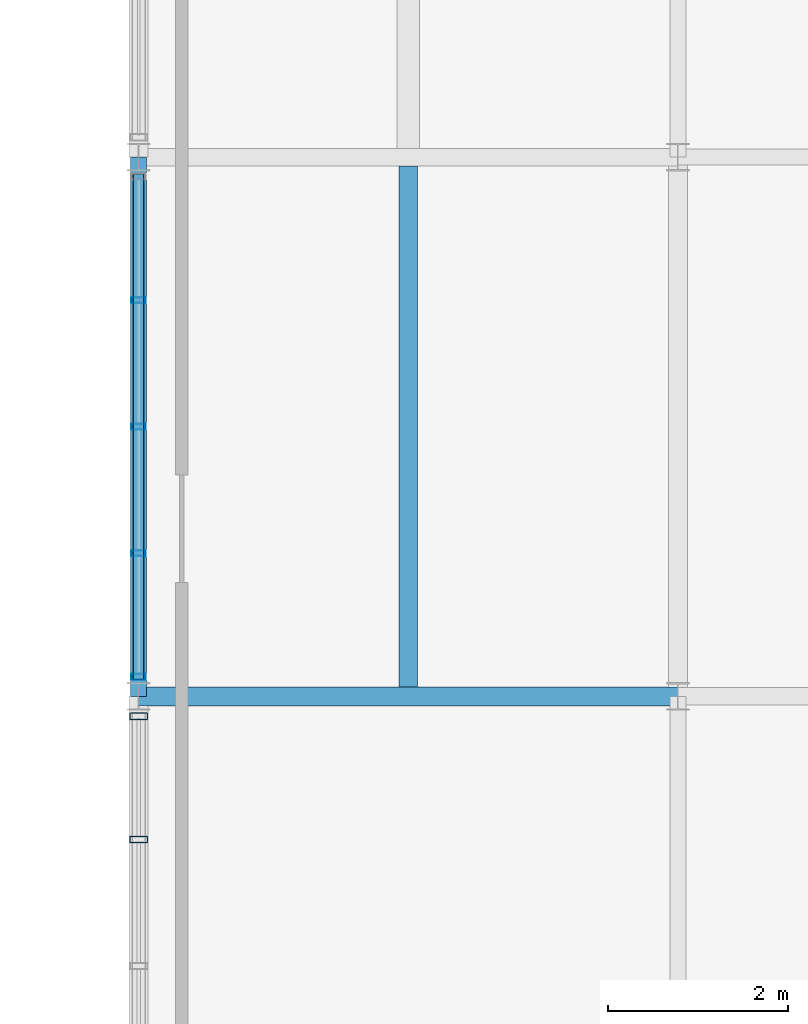
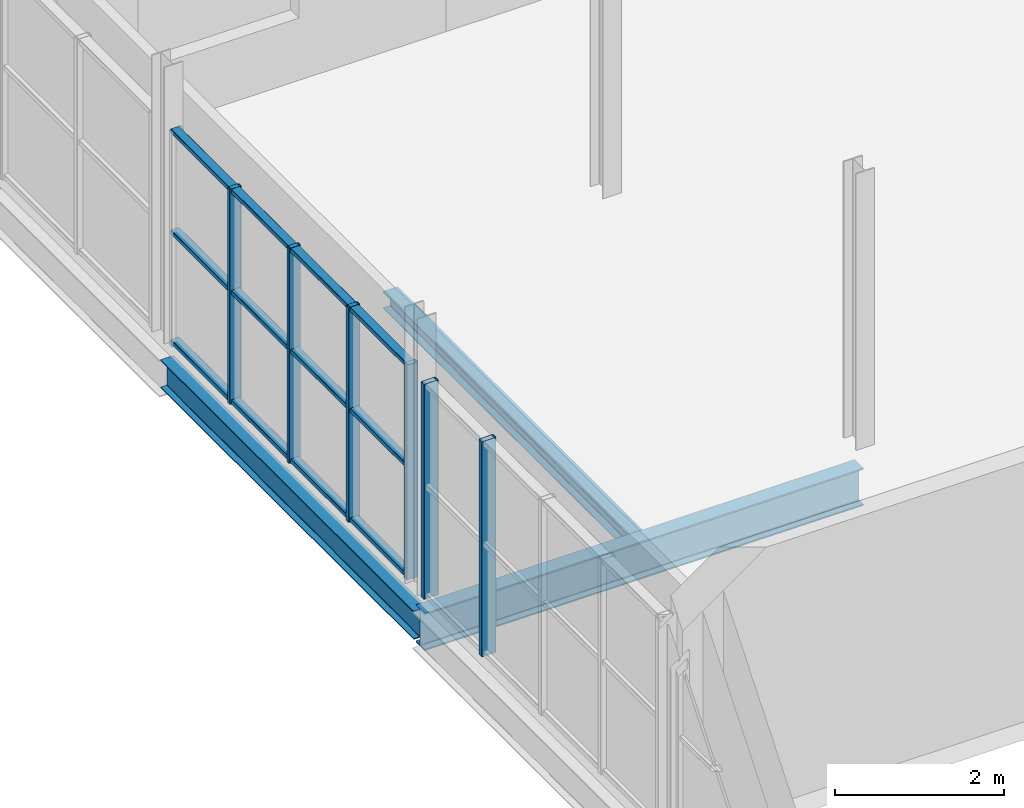
# One storey, part 67 of 96: 9 members, 3 beams, 2 elements without a shape of their own.
"""IFC4 building model written with IfcOpenShell, lengths in metres."""

from ifc_helpers import new_model, si_unit, direction, frame, origin, origin_2d, place, context, subcontext, project, spatial, hollow_rectangle, i_section, extrude, material, material_profile, profile_set, type_object, element, aggregate, save


model = new_model("IFC4")

# Units and contexts
model_context = context("Model", 3, precision=1e-05, world=origin(), true_north=direction((0.0, 1.0)))
body_context = subcontext(model_context, "Body", "Model", "MODEL_VIEW")
ifc_project = project(units=[si_unit("LENGTHUNIT", "METRE"), si_unit("AREAUNIT", "SQUARE_METRE"), si_unit("VOLUMEUNIT", "CUBIC_METRE"), si_unit("PLANEANGLEUNIT", "RADIAN"), si_unit("MASSUNIT", "GRAM", prefix="KILO")], contexts=[model_context])

# Site, building, storey
site_placement = place(None, origin())
site = spatial("IfcSite", under=ifc_project, at=site_placement, CompositionType="ELEMENT")
building_placement = place(site_placement, origin())
building = spatial("IfcBuilding", under=site, at=building_placement, Name="Verrall Gate Interchange", CompositionType="ELEMENT")
storey_placement = place(building_placement, frame((0.0, 0.0, 11.39990234375)))
storey = spatial("IfcBuildingStorey", under=building, at=storey_placement, Name="L03", CompositionType="ELEMENT", Elevation=11.39990234375)

# Beams
ifc_material_1 = material(Name="Structural Steel CSA G40.21 350W", Category="steel")
ifc_material_profile_1 = material_profile(ifc_material_1, i_section(OverallWidth=0.2109375, OverallDepth=0.5390625, WebThickness=0.01171875, FlangeThickness=0.018798828125, FilletRadius=0.013916015625, at=origin_2d()), Name="W530x109")
ifc_profile_set_1 = profile_set([ifc_material_profile_1], Name="Structural Steel CSA G40.21 350W")
beam_type_1 = type_object("IfcBeamType", Name="B-10 Structural Beam W530x109", PredefinedType="BEAM", material=ifc_profile_set_1)
beam_1_placement = place(storey_placement, frame((132.0, 34.0, -0.599365234375), z_axis=(1.0, 0.0, 0.0), x_axis=(0.0, 1.0, 0.0)))
element("IfcBeam", 1, at=beam_1_placement, inside=storey, type_object=beam_type_1, Name="L03 Girder BM-L03-2070 (B-10)", PredefinedType="BEAM", context=body_context, shape_type="SweptSolid", body=[
    extrude(i_section(OverallWidth=0.2109375, OverallDepth=0.5390625, WebThickness=0.01171875, FlangeThickness=0.018798828125, FilletRadius=0.013916015625, at=origin_2d()), origin(), (0.0, 0.0, 1.0), 6.0),
])
ifc_material_2 = material(Name="Structural Steel CSA G40.21 350W", Category="steel")
ifc_material_profile_2 = material_profile(ifc_material_2, i_section(OverallWidth=0.178955078125, OverallDepth=0.409912109375, WebThickness=0.0087890625, FlangeThickness=0.014404296875, FilletRadius=0.011962890625, at=origin_2d()), Name="W410x67")
ifc_profile_set_2 = profile_set([ifc_material_profile_2], Name="Structural Steel CSA G40.21 350W")
beam_type_2 = type_object("IfcBeamType", Name="B-12 Structural Beam W410x67", PredefinedType="BEAM", material=ifc_profile_set_2)
beam_2_placement = place(storey_placement, frame((132.0, 34.0, -0.534912109375), z_axis=(0.0, 1.0, 0.0), x_axis=(-1.0, 0.0, 0.0)))
element("IfcBeam", 2, at=beam_2_placement, inside=storey, type_object=beam_type_2, Name="L03 Girder BM-L03-2327 (B-12)", PredefinedType="BEAM", context=body_context, shape_type="SweptSolid", body=[
    extrude(i_section(OverallWidth=0.178955078125, OverallDepth=0.409912109375, WebThickness=0.0087890625, FlangeThickness=0.014404296875, FilletRadius=0.011962890625, at=origin_2d()), origin(), (0.0, 0.0, 1.0), 6.0),
])

# Curtain wall, members
ifc_material_3 = material(Name="Thermally Broken Anodized Aluminium Curtain Wall Framing", Category="aluminium")
curtain_wall_type = type_object("IfcCurtainWallType", Name="CW-36 Unitized Curtain Wall 5559x3110", PredefinedType="NOTDEFINED", material=ifc_material_3)
curtain_wall_1_placement = place(storey_placement, origin())
curtain_wall_1 = element("IfcCurtainWall", 3, at=curtain_wall_1_placement, inside=storey, type_object=curtain_wall_type, Name="L03 Unitized Curtain Wall CW-L03-122", PredefinedType="NOTDEFINED")
ifc_material_4 = material(Name="Thermally Broken Anodized Aluminium Curtain Wall Framing", Category="aluminium")
ifc_material_profile_3 = material_profile(ifc_material_4, hollow_rectangle(XDim=0.06494140625, YDim=0.159912109375, WallThickness=0.00390625, InnerFilletRadius=0.00390625, OuterFilletRadius=0.008056640625, at=origin_2d()), Name="CWM160x65x4")
ifc_profile_set_3 = profile_set([ifc_material_profile_3], Name="Thermally Broken Anodized Aluminium Curtain Wall Framing")
member_type_1 = type_object("IfcMemberType", Name="CM-01 Curtain Mullion CWM160x65x4", PredefinedType="MULLION", material=ifc_profile_set_3)
member_1_placement = place(storey_placement, frame((132.0, 38.407470703125, 0.0), z_axis=(0.0, 0.0, 1.0), x_axis=(0.0, -1.0, 0.0)))
member_1 = element("IfcMember", 4, at=member_1_placement, type_object=member_type_1, Name="CW-L03-122 Mullion 2", PredefinedType="MULLION", context=body_context, shape_type="SweptSolid", body=[
    extrude(hollow_rectangle(XDim=0.06494140625, YDim=0.159912109375, WallThickness=0.00390625, InnerFilletRadius=0.00390625, OuterFilletRadius=0.008056640625, at=origin_2d()), origin(), (0.0, 0.0, 1.0), 3.110107421875),
])
member_2_placement = place(storey_placement, frame((132.0, 37.0, 0.0), z_axis=(0.0, 0.0, 1.0), x_axis=(0.0, -1.0, 0.0)))
member_2 = element("IfcMember", 5, at=member_2_placement, type_object=member_type_1, Name="CW-L03-122 Mullion 3", PredefinedType="MULLION", context=body_context, shape_type="SweptSolid", body=[
    extrude(hollow_rectangle(XDim=0.06494140625, YDim=0.159912109375, WallThickness=0.00390625, InnerFilletRadius=0.00390625, OuterFilletRadius=0.008056640625, at=origin_2d()), origin(), (0.0, 0.0, 1.0), 3.110107421875),
])
member_3_placement = place(storey_placement, frame((132.0, 35.592529296875, 0.0), z_axis=(0.0, 0.0, 1.0), x_axis=(0.0, -1.0, 0.0)))
member_3 = element("IfcMember", 6, at=member_3_placement, type_object=member_type_1, Name="CW-L03-122 Mullion 4", PredefinedType="MULLION", context=body_context, shape_type="SweptSolid", body=[
    extrude(hollow_rectangle(XDim=0.06494140625, YDim=0.159912109375, WallThickness=0.00390625, InnerFilletRadius=0.00390625, OuterFilletRadius=0.008056640625, at=origin_2d()), origin(), (0.0, 0.0, 1.0), 3.110107421875),
])
member_4_placement = place(storey_placement, frame((132.0, 34.217529296875, 0.0), z_axis=(0.0, 0.0, 1.0), x_axis=(0.0, -1.0, 0.0)))
member_4 = element("IfcMember", 7, at=member_4_placement, type_object=member_type_1, Name="CW-L03-122 Mullion 5", PredefinedType="MULLION", context=body_context, shape_type="SweptSolid", body=[
    extrude(hollow_rectangle(XDim=0.06494140625, YDim=0.159912109375, WallThickness=0.00390625, InnerFilletRadius=0.00390625, OuterFilletRadius=0.008056640625, at=origin_2d()), origin(), (0.0, 0.0, 1.0), 3.110107421875),
])

curtain_wall_2_placement = place(storey_placement, origin())
curtain_wall_2 = element("IfcCurtainWall", 8, at=curtain_wall_2_placement, inside=storey, type_object=curtain_wall_type, Name="L03 Unitized Curtain Wall CW-L03-123", PredefinedType="NOTDEFINED")
ifc_material_5 = material(Name="Thermally Broken Anodized Aluminium Curtain Wall Framing", Category="aluminium")
ifc_material_profile_4 = material_profile(ifc_material_5, hollow_rectangle(XDim=0.074951171875, YDim=0.199951171875, WallThickness=0.0048828125, InnerFilletRadius=0.0048828125, OuterFilletRadius=0.010009765625, at=origin_2d()), Name="CWM200x75x5")
ifc_profile_set_4 = profile_set([ifc_material_profile_4], Name="Thermally Broken Anodized Aluminium Curtain Wall Framing")
member_type_2 = type_object("IfcMemberType", Name="CM-02 Curtain Mullion CWM200x75x5", PredefinedType="MULLION", material=ifc_profile_set_4)
member_5_placement = place(storey_placement, frame((132.0, 33.777587890625, 0.0), z_axis=(0.0, 0.0, 1.0), x_axis=(0.0, -1.0, 0.0)))
member_5 = element("IfcMember", 9, at=member_5_placement, type_object=member_type_2, Name="CW-L03-123 Mullion 1", PredefinedType="MULLION", context=body_context, shape_type="SweptSolid", body=[
    extrude(hollow_rectangle(XDim=0.074951171875, YDim=0.199951171875, WallThickness=0.0048828125, InnerFilletRadius=0.0048828125, OuterFilletRadius=0.010009765625, at=origin_2d()), origin(), (0.0, 0.0, 1.0), 3.110107421875),
])
member_6_placement = place(storey_placement, frame((132.0, 32.407470703125, 0.0), z_axis=(0.0, 0.0, 1.0), x_axis=(0.0, -1.0, 0.0)))
member_6 = element("IfcMember", 10, at=member_6_placement, type_object=member_type_2, Name="CW-L03-123 Mullion 2", PredefinedType="MULLION", context=body_context, shape_type="SweptSolid", body=[
    extrude(hollow_rectangle(XDim=0.074951171875, YDim=0.199951171875, WallThickness=0.0048828125, InnerFilletRadius=0.0048828125, OuterFilletRadius=0.010009765625, at=origin_2d()), origin(), (0.0, 0.0, 1.0), 3.110107421875),
])
aggregate(curtain_wall_2, [member_5, member_6])

# Member
ifc_material_6 = material(Name="Thermally Broken Anodized Aluminium Curtain Wall Framing", Category="aluminium")
ifc_material_profile_5 = material_profile(ifc_material_6, hollow_rectangle(XDim=0.1201171875, YDim=0.06494140625, WallThickness=0.00390625, InnerFilletRadius=0.00390625, OuterFilletRadius=0.008056640625, at=origin_2d()), Name="CWT120x65x4")
ifc_profile_set_5 = profile_set([ifc_material_profile_5], Name="Thermally Broken Anodized Aluminium Curtain Wall Framing")
member_type_3 = type_object("IfcMemberType", Name="CT-01 Curtain Transom CWT120x65x4", PredefinedType="USERDEFINED", material=ifc_profile_set_5)
member_7_placement = place(storey_placement, frame((132.0, 39.81494140625, 0.03271484375), z_axis=(0.0, -1.0, 0.0), x_axis=(1.0, 0.0, 0.0)))
member_7 = element("IfcMember", 11, at=member_7_placement, type_object=member_type_3, Name="CW-L03-122 Transom 1", ObjectType="TRANSOM", PredefinedType="USERDEFINED", context=body_context, shape_type="SweptSolid", body=[
    extrude(hollow_rectangle(XDim=0.1201171875, YDim=0.06494140625, WallThickness=0.00390625, InnerFilletRadius=0.00390625, OuterFilletRadius=0.008056640625, at=origin_2d()), origin(), (0.0, 0.0, 1.0), 5.6298828125),
])

member_8_placement = place(storey_placement, frame((132.0, 39.81494140625, 1.6171875), z_axis=(0.0, -1.0, 0.0), x_axis=(1.0, 0.0, 0.0)))
member_8 = element("IfcMember", 12, at=member_8_placement, type_object=member_type_3, Name="CW-L03-122 Transom 2", ObjectType="TRANSOM", PredefinedType="USERDEFINED", context=body_context, shape_type="SweptSolid", body=[
    extrude(hollow_rectangle(XDim=0.1201171875, YDim=0.06494140625, WallThickness=0.00390625, InnerFilletRadius=0.00390625, OuterFilletRadius=0.008056640625, at=origin_2d()), origin(), (0.0, 0.0, 1.0), 5.6298828125),
])

member_9_placement = place(storey_placement, frame((132.0, 39.81494140625, 3.07763671875), z_axis=(0.0, -1.0, 0.0), x_axis=(1.0, 0.0, 0.0)))
member_9 = element("IfcMember", 13, at=member_9_placement, type_object=member_type_3, Name="CW-L03-122 Transom 3", ObjectType="TRANSOM", PredefinedType="USERDEFINED", context=body_context, shape_type="SweptSolid", body=[
    extrude(hollow_rectangle(XDim=0.1201171875, YDim=0.06494140625, WallThickness=0.00390625, InnerFilletRadius=0.00390625, OuterFilletRadius=0.008056640625, at=origin_2d()), origin(), (0.0, 0.0, 1.0), 5.6298828125),
])

aggregate(curtain_wall_1, [member_1, member_2, member_3, member_4, member_7, member_8, member_9])

# Beam
ifc_material_7 = material(Name="Structural Steel CSA G40.21 350W", Category="steel")
ifc_material_profile_6 = material_profile(ifc_material_7, i_section(OverallWidth=0.201904296875, OverallDepth=0.2470703125, WebThickness=0.00732421875, FlangeThickness=0.010986328125, FilletRadius=0.010986328125, at=origin_2d()), Name="W250x49")
ifc_profile_set_6 = profile_set([ifc_material_profile_6], Name="Structural Steel CSA G40.21 350W")
beam_type_3 = type_object("IfcBeamType", Name="J-06 Floor Joist W250x49", PredefinedType="JOIST", material=ifc_profile_set_6)
beam_3_placement = place(storey_placement, frame((135.0, 34.10546875, -0.453369140625), z_axis=(0.0, 1.0, 0.0), x_axis=(-1.0, 0.0, 0.0)))
element("IfcBeam", 14, at=beam_3_placement, inside=storey, type_object=beam_type_3, Name="L03 Secondary Floor Joist JST-L03-2450", PredefinedType="JOIST", context=body_context, shape_type="SweptSolid", body=[
    extrude(i_section(OverallWidth=0.201904296875, OverallDepth=0.2470703125, WebThickness=0.00732421875, FlangeThickness=0.010986328125, FilletRadius=0.010986328125, at=origin_2d()), origin(), (0.0, 0.0, 1.0), 5.798583984375),
])

save(model, "model.ifc")
